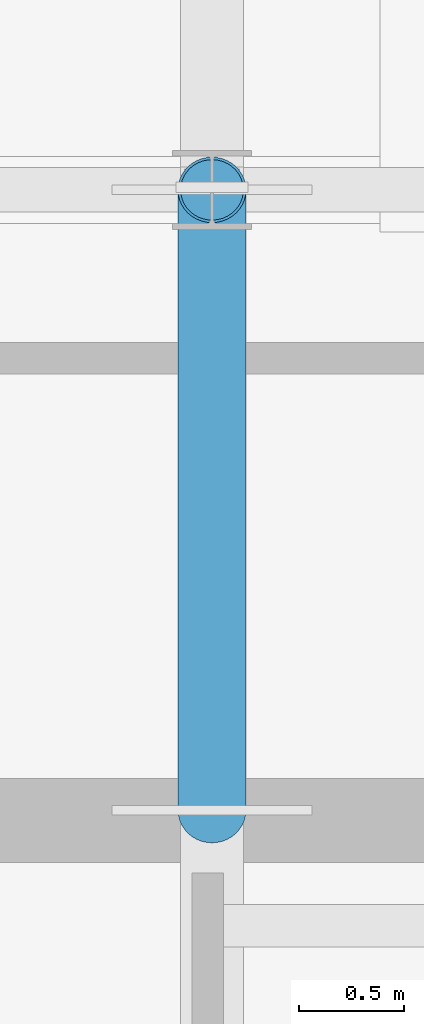
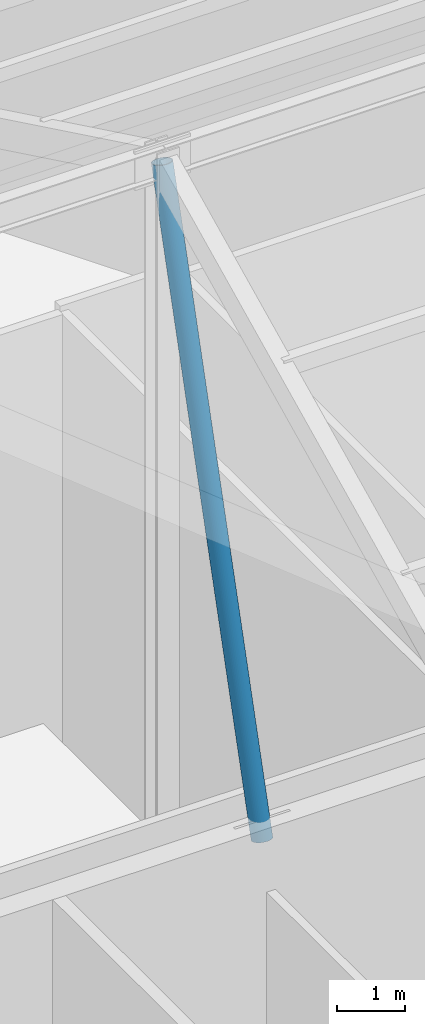
# One storey, part 10 of 36: 1 member.
"""IFC4 building model written with IfcOpenShell, lengths in metres."""

import ifcopenshell
import ifcopenshell.guid

model = None  # the IFC model being written
_history = None  # IfcOwnerHistory: only IFC2X3 demands one
_inside = {}  # id of a spatial element -> (the spatial element, [elements in it])
_under = {}  # id of a project, library or spatial element -> (it, [spatial elements below it])
_declared = {}  # id of a project -> (the project, [libraries it declares])
_typed = {}  # id of a type object -> (the type object, [elements of that type])
_made_of = {}  # id of a material, layer set ... -> (it, [elements and type objects made of it])


def new_model(schema):
    """Start an empty IFC model of exactly this schema.

    Asked for "IFC4X3", IfcOpenShell would pick the latest addendum, in which some entities
    have other attributes; the version numbers below select the first issue.
    IFC2X3 requires an IfcOwnerHistory on every rooted entity: one is made here for all.
    """
    global model, _history
    if schema == "IFC4X3":
        model = ifcopenshell.file(schema_version=(4, 3, 0, 0))
    else:
        model = ifcopenshell.file(schema=schema)
    _inside.clear()
    _under.clear()
    _declared.clear()
    _typed.clear()
    _made_of.clear()
    _history = None
    if model.schema == "IFC2X3":
        org = make("IfcOrganization", Name="unknown")
        user = make(
            "IfcPersonAndOrganization",
            ThePerson=make("IfcPerson", FamilyName="unknown"),
            TheOrganization=org,
        )
        app = make(
            "IfcApplication",
            ApplicationDeveloper=org,
            Version="unknown",
            ApplicationFullName="unknown",
            ApplicationIdentifier="unknown",
        )
        _history = make(
            "IfcOwnerHistory",
            OwningUser=user,
            OwningApplication=app,
            ChangeAction="ADDED",
            CreationDate=0,
        )
    return model


def make(cls, **values):
    """One entity of the class cls with the attributes given. An attribute that is None is left unset."""
    return model.create_entity(
        cls, **{name: value for name, value in values.items() if value is not None}
    )


def rooted(cls, **values):
    """An entity with a GlobalId (a new one), such as an element, a storey or a relation."""
    return make(cls, GlobalId=ifcopenshell.guid.new(), OwnerHistory=_history, **values)


def si_unit(unit_type, name, prefix=None):
    """IfcSIUnit, for example si_unit("LENGTHUNIT", "METRE", prefix="MILLI")."""
    return make("IfcSIUnit", UnitType=unit_type, Prefix=prefix, Name=name)


def assignment(units):
    """IfcUnitAssignment: the units of a project."""
    return None if units is None else make("IfcUnitAssignment", Units=units)


def point(xyz):
    """IfcCartesianPoint."""
    return None if xyz is None else make("IfcCartesianPoint", Coordinates=xyz)


def direction(xyz):
    """IfcDirection."""
    return None if xyz is None else make("IfcDirection", DirectionRatios=xyz)


def frame(location, z_axis=None, x_axis=None):
    """IfcAxis2Placement3D, a coordinate frame: its origin and axes. An axis left out is left unset."""
    return make(
        "IfcAxis2Placement3D",
        Location=point(location),
        Axis=direction(z_axis),
        RefDirection=direction(x_axis),
    )


def frame_2d(location, x_axis=None):
    """IfcAxis2Placement2D, a coordinate frame in the plane: its origin and x axis."""
    return make(
        "IfcAxis2Placement2D", Location=point(location), RefDirection=direction(x_axis)
    )


def origin():
    """The frame at (0, 0, 0) with its axes left unset."""
    return frame((0.0, 0.0, 0.0))


def origin_2d():
    """The frame at (0, 0) in the plane with its x axis left unset."""
    return frame_2d((0.0, 0.0))


def place(relative_to, where):
    """IfcLocalPlacement: puts the frame where relative to a parent placement (None: the world)."""
    return make(
        "IfcLocalPlacement", PlacementRelTo=relative_to, RelativePlacement=where
    )


def context(
    kind, dimensions, precision=None, world=None, true_north=None, identifier=None
):
    """IfcGeometricRepresentationContext, for example the 3D "Model" context."""
    return make(
        "IfcGeometricRepresentationContext",
        ContextIdentifier=identifier,
        ContextType=kind,
        CoordinateSpaceDimension=dimensions,
        Precision=precision,
        WorldCoordinateSystem=world,
        TrueNorth=true_north,
    )


def subcontext(parent, identifier, kind, view, scale=None):
    """IfcGeometricRepresentationSubContext, for example "Body" below "Model"."""
    return make(
        "IfcGeometricRepresentationSubContext",
        ContextIdentifier=identifier,
        ContextType=kind,
        ParentContext=parent,
        TargetScale=scale,
        TargetView=view,
    )


def project(units=None, contexts=None):
    """IfcProject with its units and contexts."""
    return rooted(
        "IfcProject",
        Name="project",
        RepresentationContexts=contexts,
        UnitsInContext=assignment(units),
    )


def spatial(cls, under=None, at=None, **own):
    """A site, building, storey or space (cls), placed at a placement, below another one or the project."""
    s = rooted(cls, ObjectPlacement=at, **own)
    if under is not None:
        _under.setdefault(under.id(), (under, []))[1].append(s)
    return s


def profile(cls, at=None, kind="AREA", **sizes):
    """A parametric profile (cls). Its sizes go by their IFC names, for example OverallWidth=200.0."""
    return make(cls, ProfileType=kind, Position=at, **sizes)


def hollow_circle(**sizes):
    """IfcCircleHollowProfileDef."""
    return profile("IfcCircleHollowProfileDef", **sizes)


def extrude(swept, where, along, depth):
    """IfcExtrudedAreaSolid: the profile swept, set in the frame where, extruded along a direction by depth."""
    return make(
        "IfcExtrudedAreaSolid",
        SweptArea=swept,
        Position=where,
        ExtrudedDirection=direction(along),
        Depth=depth,
    )


def shape(context_of_items, identifier, shape_type, items):
    """IfcShapeRepresentation: the items that make up one representation, for example the "Body"."""
    return make(
        "IfcShapeRepresentation",
        ContextOfItems=context_of_items,
        RepresentationIdentifier=identifier,
        RepresentationType=shape_type,
        Items=items,
    )


def material(Name=None, Category=None):
    """IfcMaterial."""
    return make("IfcMaterial", Name=Name, Category=Category)


def material_profile(
    of_material, cross_section, Name=None, Category=None, Priority=None
):
    """IfcMaterialProfile: a cross section and its material."""
    return make(
        "IfcMaterialProfile",
        Name=Name,
        Material=of_material,
        Profile=cross_section,
        Priority=Priority,
        Category=Category,
    )


def profile_set(profiles, Name=None, composite=None):
    """IfcMaterialProfileSet."""
    return make(
        "IfcMaterialProfileSet",
        Name=Name,
        MaterialProfiles=profiles,
        CompositeProfile=composite,
    )


def made_of(thing, what):
    """Note that an element or type object is made of a material, layer set ...; save() writes the relation."""
    if what is not None:
        _made_of.setdefault(what.id(), (what, []))[1].append(thing)
    return thing


def type_object(cls, material=None, **own):
    """A type object (cls), such as IfcWallType, which elements share."""
    return made_of(rooted(cls, **own), material)


def element(
    cls,
    number,
    at=None,
    inside=None,
    cuts=None,
    type_object=None,
    material=None,
    context=None,
    identifier="Body",
    shape_type=None,
    held_by="IfcProductDefinitionShape",
    body=None,
    shapes=None,
    **own,
):
    """One element of the class cls, such as IfcWall. Its Tag is "e" and its number.

    at: its placement. inside: the storey or other place that contains it. cuts: it is an
    opening in that element (IfcRelVoidsElement). A single representation is given by context,
    identifier, shape_type and body (its items); several are given by shapes. held_by: the class
    of the entity that holds the representations. save() writes the other relations.
    """
    e = rooted(cls, Tag="e%d" % number, ObjectPlacement=at, **own)
    if body is not None:
        shapes = [shape(context, identifier, shape_type, body)]
    if shapes is not None:
        e.Representation = make(held_by, Representations=shapes)
    if inside is not None:
        _inside.setdefault(inside.id(), (inside, []))[1].append(e)
    if cuts is not None:
        rooted(
            "IfcRelVoidsElement", RelatingBuildingElement=cuts, RelatedOpeningElement=e
        )
    if type_object is not None:
        _typed.setdefault(type_object.id(), (type_object, []))[1].append(e)
    return made_of(e, material)


def aggregate(whole, parts):
    """IfcRelAggregates: a whole, such as a stair, and the parts it consists of."""
    return rooted("IfcRelAggregates", RelatingObject=whole, RelatedObjects=parts)


def save(model, path):
    """Write the relations noted so far, then the file.

    IfcRelAggregates (storeys below a building ...), IfcRelContainedInSpatialStructure (elements
    in a storey), IfcRelDefinesByType, IfcRelAssociatesMaterial and IfcRelDeclares: one each for
    every whole, place, type object, material and project.
    """
    for whole, parts in _under.values():
        aggregate(whole, parts)
    for where, things in _inside.values():
        rooted(
            "IfcRelContainedInSpatialStructure",
            RelatedElements=things,
            RelatingStructure=where,
        )
    for kind, things in _typed.values():
        rooted("IfcRelDefinesByType", RelatedObjects=things, RelatingType=kind)
    for what, things in _made_of.values():
        rooted("IfcRelAssociatesMaterial", RelatedObjects=things, RelatingMaterial=what)
    for by, libraries in _declared.values():
        rooted("IfcRelDeclares", RelatingContext=by, RelatedDefinitions=libraries)
    model.write(path)


model = new_model("IFC4")

# Units and contexts
model_context = context("Model", 3, precision=1e-05, world=origin(), true_north=direction((0.0, 1.0)))
body_context = subcontext(model_context, "Body", "Model", "MODEL_VIEW")
ifc_project = project(units=[si_unit("LENGTHUNIT", "METRE"), si_unit("AREAUNIT", "SQUARE_METRE"), si_unit("VOLUMEUNIT", "CUBIC_METRE"), si_unit("PLANEANGLEUNIT", "RADIAN"), si_unit("MASSUNIT", "GRAM", prefix="KILO")], contexts=[model_context])

# Site, building, storey
site_placement = place(None, origin())
site = spatial("IfcSite", under=ifc_project, at=site_placement, CompositionType="ELEMENT")
building_placement = place(site_placement, origin())
building = spatial("IfcBuilding", under=site, at=building_placement, Name="Ndaravel Arena Tower", CompositionType="ELEMENT")
storey_placement = place(building_placement, frame((0.0, 0.0, 308.10009765625)))
storey = spatial("IfcBuildingStorey", under=building, at=storey_placement, Name="Roof Crown", CompositionType="ELEMENT", Elevation=308.10009765625)

# Member
ifc_material = material(Name="Steel S355", Category="steel")
ifc_material_profile = material_profile(ifc_material, hollow_circle(Radius=0.161865234375, WallThickness=0.012451171875, at=origin_2d()), Name="CHS 323.9x12.5")
ifc_profile_set = profile_set([ifc_material_profile], Name="Steel S355")
member_type = type_object("IfcMemberType", Name="MEM-CRN-STRUT", PredefinedType="STRUT", material=ifc_profile_set)
member_placement = place(storey_placement, frame((34.199951171875, 15.050048828125, 8.75), z_axis=(0.0, 0.272631465331, 0.962118539532), x_axis=(-1.0, 0.0, 0.0)))
element("IfcMember", 1, at=member_placement, inside=storey, type_object=member_type, Name="Crown Ridge Bracing Strut CBS-1", PredefinedType="STRUT", context=body_context, shape_type="SweptSolid", body=[
    extrude(hollow_circle(Radius=0.161865234375, WallThickness=0.012451171875, at=origin_2d()), origin(), (0.0, 0.0, 1.0), 10.8203125),
])

save(model, "model.ifc")
